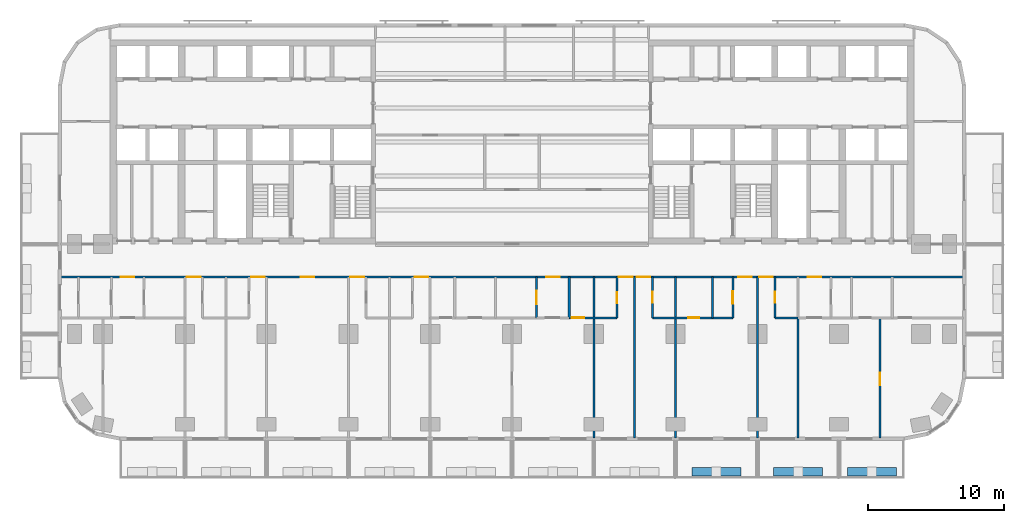
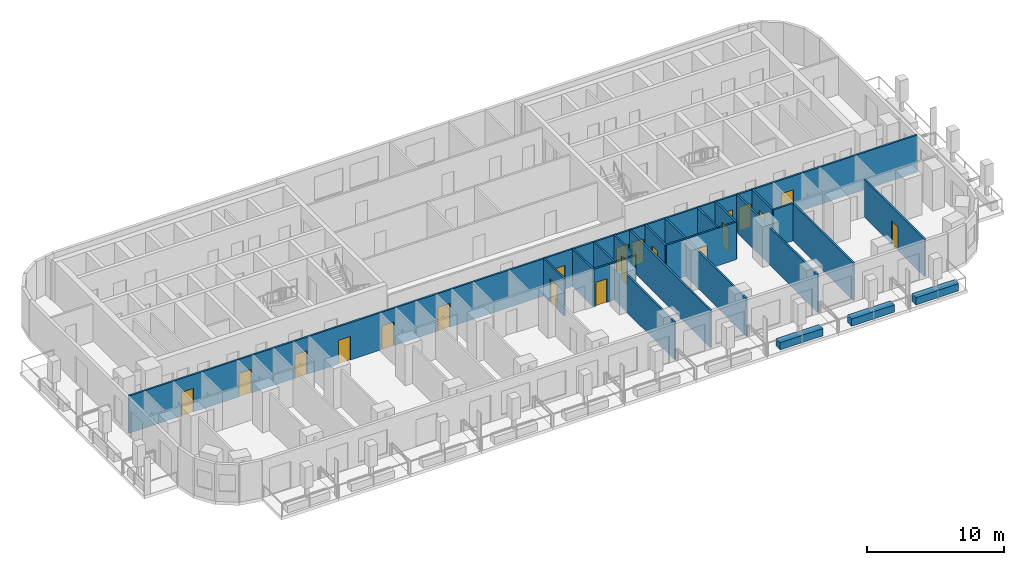
# One storey, part 6 of 15: 20 doors, 20 walls, 20 openings.
"""IFC4 building model written with IfcOpenShell, lengths in metres."""

from ifc_helpers import new_model, si_unit, direction, frame, frame_2d, origin, place, context, subcontext, project, spatial, rectangle, extrude, material, layer, layer_set, type_object, element, fill, save


model = new_model("IFC4")

# Units and contexts
model_context = context("Model", 3, precision=1e-05, world=origin(), true_north=direction((0.0, 1.0)))
body_context = subcontext(model_context, "Body", "Model", "MODEL_VIEW")
ifc_project = project(units=[si_unit("LENGTHUNIT", "METRE"), si_unit("AREAUNIT", "SQUARE_METRE"), si_unit("VOLUMEUNIT", "CUBIC_METRE"), si_unit("PLANEANGLEUNIT", "RADIAN"), si_unit("MASSUNIT", "GRAM", prefix="KILO")], contexts=[model_context])

# Site, building, storey
site_placement = place(None, origin())
site = spatial("IfcSite", under=ifc_project, at=site_placement, CompositionType="ELEMENT")
building_placement = place(site_placement, origin())
building = spatial("IfcBuilding", under=site, at=building_placement, Name="Torana Hotel and Residences", CompositionType="ELEMENT")
storey_placement = place(building_placement, frame((0.0, 0.0, 45.60009765625)))
storey = spatial("IfcBuildingStorey", under=building, at=storey_placement, Name="L10", CompositionType="ELEMENT", Elevation=45.60009765625)

# Wall
ifc_material_1 = material(Name="Gypsum plaster")
ifc_layer_1 = layer(ifc_material_1, 0.014892578125, Name="Plaster", Category="finish")
ifc_material_2 = material(Name="Concrete blockwork", Category="masonry")
ifc_layer_2 = layer(ifc_material_2, 0.1201171875, Name="Blockwork", Category="structure")
ifc_layer_3 = layer(ifc_material_1, 0.014892578125, Name="Plaster", Category="finish")
ifc_layer_set_1 = layer_set([ifc_layer_1, ifc_layer_2, ifc_layer_3], Name="FIRE PARTITION 150 BLOCKWORK")
wall_type_1 = type_object("IfcWallType", Name="FIRE PARTITION 150 BLOCKWORK", PredefinedType="PARTITIONING", material=ifc_layer_set_1)
wall_1_placement = place(storey_placement, frame((4.199951171875, -20.39990234375, 0.0), z_axis=(0.0, 0.0, 1.0), x_axis=(0.0, 1.0, 0.0)))
element("IfcWall", 1, at=wall_1_placement, inside=storey, type_object=wall_type_1, Name="Partition L10", PredefinedType="PARTITIONING", context=body_context, shape_type="SweptSolid", body=[
    extrude(rectangle(XDim=3.0, YDim=0.14990234375, at=frame_2d((1.5, 0.0))), origin(), (0.0, 0.0, 1.0), 3.31982421875),
])

# Wall, opening, door
wall_2_placement = place(storey_placement, frame((1.800048828125, -20.39990234375, 0.0), z_axis=(0.0, 0.0, 1.0), x_axis=(0.0, 1.0, 0.0)))
wall_2 = element("IfcWall", 2, at=wall_2_placement, inside=storey, type_object=wall_type_1, Name="Partition L10", PredefinedType="PARTITIONING", context=body_context, shape_type="SweptSolid", body=[
    extrude(rectangle(XDim=3.0, YDim=0.14990234375, at=frame_2d((1.5, 0.0))), origin(), (0.0, 0.0, 1.0), 3.31982421875),
])
opening_1_placement = place(wall_2_placement, frame((0.97998046875, 0.0, 0.0)))
opening_1 = element("IfcOpeningElement", 3, at=opening_1_placement, cuts=wall_2, Name="Opening L10-68", PredefinedType="OPENING", context=body_context, shape_type="SweptSolid", body=[
    extrude(rectangle(XDim=1.0, YDim=2.10009765625, at=frame_2d((0.5, 1.050048828125))), frame((0.0, 0.0849609375, 0.0), z_axis=(0.0, -1.0, 0.0), x_axis=(1.0, 0.0, 0.0)), (0.0, 0.0, 1.0), 0.169921875),
])
ifc_material_3 = material(Name="Steel S235", Category="steel")
door_type_1 = type_object("IfcDoorType", Name="ENTRY FIRE DOOR D6 1000x2100", OperationType="SINGLE_SWING_LEFT", PredefinedType="DOOR", material=ifc_material_3)
door_1_placement = place(opening_1_placement, origin())
door_1 = element("IfcDoor", 4, at=door_1_placement, inside=storey, type_object=door_type_1, Name="Door L10", OperationType="SINGLE_SWING_RIGHT", OverallHeight=2.10009765625, OverallWidth=1.0, PredefinedType="DOOR", context=body_context, shape_type="SweptSolid", body=[
    extrude(rectangle(XDim=1.0, YDim=2.10009765625, at=frame_2d((0.5, 1.050048828125))), frame((0.0, 0.02490234375, 0.0), z_axis=(0.0, -1.0, 0.0), x_axis=(1.0, 0.0, 0.0)), (0.0, 0.0, 1.0), 0.050048828125),
])
fill(opening_1, door_1)

# Wall, openings, doors
wall_3_placement = place(storey_placement, frame((-33.1201171875, -17.39990234375, 0.0), z_axis=(0.0, 0.0, 1.0), x_axis=(1.0, 0.0, 0.0)))
wall_3 = element("IfcWall", 5, at=wall_3_placement, inside=storey, type_object=wall_type_1, Name="Partition L10", PredefinedType="PARTITIONING", context=body_context, shape_type="SweptSolid", body=[
    extrude(rectangle(XDim=66.240234375, YDim=0.14990234375, at=frame_2d((33.1201171875, 0.0))), origin(), (0.0, 0.0, 1.0), 3.31982421875),
])
opening_2_placement = place(wall_3_placement, frame((9.27001953125, 0.0, 0.0)))
opening_2 = element("IfcOpeningElement", 6, at=opening_2_placement, cuts=wall_3, Name="Opening L10-40", PredefinedType="OPENING", context=body_context, shape_type="SweptSolid", body=[
    extrude(rectangle(XDim=1.0, YDim=2.10009765625, at=frame_2d((0.5, 1.050048828125))), frame((0.0, 0.0849609375, 0.0), z_axis=(0.0, -1.0, 0.0), x_axis=(1.0, 0.0, 0.0)), (0.0, 0.0, 1.0), 0.169921875),
])
opening_3_placement = place(wall_3_placement, frame((13.969970703125, 0.0, 0.0)))
opening_3 = element("IfcOpeningElement", 7, at=opening_3_placement, cuts=wall_3, Name="Opening L10-41", PredefinedType="OPENING", context=body_context, shape_type="SweptSolid", body=[
    extrude(rectangle(XDim=1.0, YDim=2.10009765625, at=frame_2d((0.5, 1.050048828125))), frame((0.0, 0.0849609375, 0.0), z_axis=(0.0, -1.0, 0.0), x_axis=(1.0, 0.0, 0.0)), (0.0, 0.0, 1.0), 0.169921875),
])
opening_4_placement = place(wall_3_placement, frame((17.6201171875, 0.0, 0.0)))
opening_4 = element("IfcOpeningElement", 8, at=opening_4_placement, cuts=wall_3, Name="Opening L10-42", PredefinedType="OPENING", context=body_context, shape_type="SweptSolid", body=[
    extrude(rectangle(XDim=1.0, YDim=2.10009765625, at=frame_2d((0.5, 1.050048828125))), frame((0.0, 0.0849609375, 0.0), z_axis=(0.0, -1.0, 0.0), x_axis=(1.0, 0.0, 0.0)), (0.0, 0.0, 1.0), 0.169921875),
])
opening_5_placement = place(wall_3_placement, frame((21.27001953125, 0.0, 0.0)))
opening_5 = element("IfcOpeningElement", 9, at=opening_5_placement, cuts=wall_3, Name="Opening L10-43", PredefinedType="OPENING", context=body_context, shape_type="SweptSolid", body=[
    extrude(rectangle(XDim=1.0, YDim=2.10009765625, at=frame_2d((0.5, 1.050048828125))), frame((0.0, 0.0849609375, 0.0), z_axis=(0.0, -1.0, 0.0), x_axis=(1.0, 0.0, 0.0)), (0.0, 0.0, 1.0), 0.169921875),
])
opening_6_placement = place(wall_3_placement, frame((25.969970703125, 0.0, 0.0)))
opening_6 = element("IfcOpeningElement", 10, at=opening_6_placement, cuts=wall_3, Name="Opening L10-44", PredefinedType="OPENING", context=body_context, shape_type="SweptSolid", body=[
    extrude(rectangle(XDim=1.0, YDim=2.10009765625, at=frame_2d((0.5, 1.050048828125))), frame((0.0, 0.0849609375, 0.0), z_axis=(0.0, -1.0, 0.0), x_axis=(1.0, 0.0, 0.0)), (0.0, 0.0, 1.0), 0.169921875),
])
opening_7_placement = place(wall_3_placement, frame((35.6201171875, 0.0, 0.0)))
opening_7 = element("IfcOpeningElement", 11, at=opening_7_placement, cuts=wall_3, Name="Opening L10-45", PredefinedType="OPENING", context=body_context, shape_type="SweptSolid", body=[
    extrude(rectangle(XDim=1.0, YDim=2.10009765625, at=frame_2d((0.5, 1.050048828125))), frame((0.0, 0.0849609375, 0.0), z_axis=(0.0, -1.0, 0.0), x_axis=(1.0, 0.0, 0.0)), (0.0, 0.0, 1.0), 0.169921875),
])
opening_8_placement = place(wall_3_placement, frame((40.969970703125, 0.0, 0.0)))
opening_8 = element("IfcOpeningElement", 12, at=opening_8_placement, cuts=wall_3, Name="Opening L10-46", PredefinedType="OPENING", context=body_context, shape_type="SweptSolid", body=[
    extrude(rectangle(XDim=1.0, YDim=2.10009765625, at=frame_2d((0.5, 1.050048828125))), frame((0.0, 0.0849609375, 0.0), z_axis=(0.0, -1.0, 0.0), x_axis=(1.0, 0.0, 0.0)), (0.0, 0.0, 1.0), 0.169921875),
])
opening_9_placement = place(wall_3_placement, frame((42.27001953125, 0.0, 0.0)))
opening_9 = element("IfcOpeningElement", 13, at=opening_9_placement, cuts=wall_3, Name="Opening L10-47", PredefinedType="OPENING", context=body_context, shape_type="SweptSolid", body=[
    extrude(rectangle(XDim=1.0, YDim=2.10009765625, at=frame_2d((0.5, 1.050048828125))), frame((0.0, 0.0849609375, 0.0), z_axis=(0.0, -1.0, 0.0), x_axis=(1.0, 0.0, 0.0)), (0.0, 0.0, 1.0), 0.169921875),
])
opening_10_placement = place(wall_3_placement, frame((49.719970703125, 0.0, 0.0)))
opening_10 = element("IfcOpeningElement", 14, at=opening_10_placement, cuts=wall_3, Name="Opening L10-48", PredefinedType="OPENING", context=body_context, shape_type="SweptSolid", body=[
    extrude(rectangle(XDim=1.0, YDim=2.10009765625, at=frame_2d((0.5, 1.050048828125))), frame((0.0, 0.0849609375, 0.0), z_axis=(0.0, -1.0, 0.0), x_axis=(1.0, 0.0, 0.0)), (0.0, 0.0, 1.0), 0.169921875),
])
opening_11_placement = place(wall_3_placement, frame((51.27001953125, 0.0, 0.0)))
opening_11 = element("IfcOpeningElement", 15, at=opening_11_placement, cuts=wall_3, Name="Opening L10-49", PredefinedType="OPENING", context=body_context, shape_type="SweptSolid", body=[
    extrude(rectangle(XDim=1.0, YDim=2.10009765625, at=frame_2d((0.5, 1.050048828125))), frame((0.0, 0.0849609375, 0.0), z_axis=(0.0, -1.0, 0.0), x_axis=(1.0, 0.0, 0.0)), (0.0, 0.0, 1.0), 0.169921875),
])
opening_12_placement = place(wall_3_placement, frame((4.419921875, 0.0, 0.0)))
opening_12 = element("IfcOpeningElement", 16, at=opening_12_placement, cuts=wall_3, Name="Opening L10-50", PredefinedType="OPENING", context=body_context, shape_type="SweptSolid", body=[
    extrude(rectangle(XDim=1.0, YDim=2.10009765625, at=frame_2d((0.5, 1.050048828125))), frame((0.0, 0.0849609375, 0.0), z_axis=(0.0, -1.0, 0.0), x_axis=(1.0, 0.0, 0.0)), (0.0, 0.0, 1.0), 0.169921875),
])
opening_13_placement = place(wall_3_placement, frame((54.820068359375, 0.0, 0.0)))
opening_13 = element("IfcOpeningElement", 17, at=opening_13_placement, cuts=wall_3, Name="Opening L10-51", PredefinedType="OPENING", context=body_context, shape_type="SweptSolid", body=[
    extrude(rectangle(XDim=1.0, YDim=2.10009765625, at=frame_2d((0.5, 1.050048828125))), frame((0.0, 0.0849609375, 0.0), z_axis=(0.0, -1.0, 0.0), x_axis=(1.0, 0.0, 0.0)), (0.0, 0.0, 1.0), 0.169921875),
])
door_2_placement = place(opening_2_placement, frame((0.5, 0.0, 0.0), z_axis=(0.0, 0.0, 1.0), x_axis=(-1.0, 0.0, 0.0)))
door_2 = element("IfcDoor", 18, at=door_2_placement, inside=storey, type_object=door_type_1, Name="Door L10", OperationType="SINGLE_SWING_LEFT", OverallHeight=2.10009765625, OverallWidth=1.0, PredefinedType="DOOR", context=body_context, shape_type="SweptSolid", body=[
    extrude(rectangle(XDim=1.0, YDim=2.10009765625, at=frame_2d((0.0, 1.050048828125))), frame((0.0, -0.02490234375, 0.0), z_axis=(0.0, 1.0, 0.0), x_axis=(-1.0, 0.0, 0.0)), (0.0, 0.0, 1.0), 0.050048828125),
])
fill(opening_2, door_2)
door_3_placement = place(opening_3_placement, frame((0.5, 0.0, 0.0), z_axis=(0.0, 0.0, 1.0), x_axis=(-1.0, 0.0, 0.0)))
door_3 = element("IfcDoor", 19, at=door_3_placement, inside=storey, type_object=door_type_1, Name="Door L10", OperationType="SINGLE_SWING_LEFT", OverallHeight=2.10009765625, OverallWidth=1.0, PredefinedType="DOOR", context=body_context, shape_type="SweptSolid", body=[
    extrude(rectangle(XDim=1.0, YDim=2.10009765625, at=frame_2d((0.0, 1.050048828125))), frame((0.0, -0.02490234375, 0.0), z_axis=(0.0, 1.0, 0.0), x_axis=(-1.0, 0.0, 0.0)), (0.0, 0.0, 1.0), 0.050048828125),
])
fill(opening_3, door_3)
door_4_placement = place(opening_4_placement, frame((0.5, 0.0, 0.0), z_axis=(0.0, 0.0, 1.0), x_axis=(-1.0, 0.0, 0.0)))
door_4 = element("IfcDoor", 20, at=door_4_placement, inside=storey, type_object=door_type_1, Name="Door L10", OperationType="SINGLE_SWING_LEFT", OverallHeight=2.10009765625, OverallWidth=1.0, PredefinedType="DOOR", context=body_context, shape_type="SweptSolid", body=[
    extrude(rectangle(XDim=1.0, YDim=2.10009765625, at=frame_2d((0.0, 1.050048828125))), frame((0.0, -0.02490234375, 0.0), z_axis=(0.0, 1.0, 0.0), x_axis=(-1.0, 0.0, 0.0)), (0.0, 0.0, 1.0), 0.050048828125),
])
fill(opening_4, door_4)
door_5_placement = place(opening_5_placement, frame((0.5, 0.0, 0.0), z_axis=(0.0, 0.0, 1.0), x_axis=(-1.0, 0.0, 0.0)))
door_5 = element("IfcDoor", 21, at=door_5_placement, inside=storey, type_object=door_type_1, Name="Door L10", OperationType="SINGLE_SWING_LEFT", OverallHeight=2.10009765625, OverallWidth=1.0, PredefinedType="DOOR", context=body_context, shape_type="SweptSolid", body=[
    extrude(rectangle(XDim=1.0, YDim=2.10009765625, at=frame_2d((0.0, 1.050048828125))), frame((0.0, -0.02490234375, 0.0), z_axis=(0.0, 1.0, 0.0), x_axis=(-1.0, 0.0, 0.0)), (0.0, 0.0, 1.0), 0.050048828125),
])
fill(opening_5, door_5)
door_6_placement = place(opening_6_placement, frame((0.5, 0.0, 0.0), z_axis=(0.0, 0.0, 1.0), x_axis=(-1.0, 0.0, 0.0)))
door_6 = element("IfcDoor", 22, at=door_6_placement, inside=storey, type_object=door_type_1, Name="Door L10", OperationType="SINGLE_SWING_LEFT", OverallHeight=2.10009765625, OverallWidth=1.0, PredefinedType="DOOR", context=body_context, shape_type="SweptSolid", body=[
    extrude(rectangle(XDim=1.0, YDim=2.10009765625, at=frame_2d((0.0, 1.050048828125))), frame((0.0, -0.02490234375, 0.0), z_axis=(0.0, 1.0, 0.0), x_axis=(-1.0, 0.0, 0.0)), (0.0, 0.0, 1.0), 0.050048828125),
])
fill(opening_6, door_6)
door_7_placement = place(opening_7_placement, origin())
door_7 = element("IfcDoor", 23, at=door_7_placement, inside=storey, type_object=door_type_1, Name="Door L10", OperationType="SINGLE_SWING_RIGHT", OverallHeight=2.10009765625, OverallWidth=1.0, PredefinedType="DOOR", context=body_context, shape_type="SweptSolid", body=[
    extrude(rectangle(XDim=1.0, YDim=2.10009765625, at=frame_2d((0.5, 1.050048828125))), frame((0.0, 0.02490234375, 0.0), z_axis=(0.0, -1.0, 0.0), x_axis=(1.0, 0.0, 0.0)), (0.0, 0.0, 1.0), 0.050048828125),
])
fill(opening_7, door_7)
door_8_placement = place(opening_8_placement, frame((0.5, 0.0, 0.0), z_axis=(0.0, 0.0, 1.0), x_axis=(-1.0, 0.0, 0.0)))
door_8 = element("IfcDoor", 24, at=door_8_placement, inside=storey, type_object=door_type_1, Name="Door L10", OperationType="SINGLE_SWING_LEFT", OverallHeight=2.10009765625, OverallWidth=1.0, PredefinedType="DOOR", context=body_context, shape_type="SweptSolid", body=[
    extrude(rectangle(XDim=1.0, YDim=2.10009765625, at=frame_2d((0.0, 1.050048828125))), frame((0.0, -0.02490234375, 0.0), z_axis=(0.0, 1.0, 0.0), x_axis=(-1.0, 0.0, 0.0)), (0.0, 0.0, 1.0), 0.050048828125),
])
fill(opening_8, door_8)
door_9_placement = place(opening_9_placement, frame((0.5, 0.0, 0.0), z_axis=(0.0, 0.0, 1.0), x_axis=(-1.0, 0.0, 0.0)))
door_9 = element("IfcDoor", 25, at=door_9_placement, inside=storey, type_object=door_type_1, Name="Door L10", OperationType="SINGLE_SWING_LEFT", OverallHeight=2.10009765625, OverallWidth=1.0, PredefinedType="DOOR", context=body_context, shape_type="SweptSolid", body=[
    extrude(rectangle(XDim=1.0, YDim=2.10009765625, at=frame_2d((0.0, 1.050048828125))), frame((0.0, -0.02490234375, 0.0), z_axis=(0.0, 1.0, 0.0), x_axis=(-1.0, 0.0, 0.0)), (0.0, 0.0, 1.0), 0.050048828125),
])
fill(opening_9, door_9)
door_10_placement = place(opening_10_placement, frame((0.5, 0.0, 0.0), z_axis=(0.0, 0.0, 1.0), x_axis=(-1.0, 0.0, 0.0)))
door_10 = element("IfcDoor", 26, at=door_10_placement, inside=storey, type_object=door_type_1, Name="Door L10", OperationType="SINGLE_SWING_LEFT", OverallHeight=2.10009765625, OverallWidth=1.0, PredefinedType="DOOR", context=body_context, shape_type="SweptSolid", body=[
    extrude(rectangle(XDim=1.0, YDim=2.10009765625, at=frame_2d((0.0, 1.050048828125))), frame((0.0, -0.02490234375, 0.0), z_axis=(0.0, 1.0, 0.0), x_axis=(-1.0, 0.0, 0.0)), (0.0, 0.0, 1.0), 0.050048828125),
])
fill(opening_10, door_10)
door_11_placement = place(opening_11_placement, frame((0.5, 0.0, 0.0), z_axis=(0.0, 0.0, 1.0), x_axis=(-1.0, 0.0, 0.0)))
door_11 = element("IfcDoor", 27, at=door_11_placement, inside=storey, type_object=door_type_1, Name="Door L10", OperationType="SINGLE_SWING_LEFT", OverallHeight=2.10009765625, OverallWidth=1.0, PredefinedType="DOOR", context=body_context, shape_type="SweptSolid", body=[
    extrude(rectangle(XDim=1.0, YDim=2.10009765625, at=frame_2d((0.0, 1.050048828125))), frame((0.0, -0.02490234375, 0.0), z_axis=(0.0, 1.0, 0.0), x_axis=(-1.0, 0.0, 0.0)), (0.0, 0.0, 1.0), 0.050048828125),
])
fill(opening_11, door_11)
door_12_placement = place(opening_12_placement, origin())
door_12 = element("IfcDoor", 28, at=door_12_placement, inside=storey, type_object=door_type_1, Name="Door L10", OperationType="SINGLE_SWING_RIGHT", OverallHeight=2.10009765625, OverallWidth=1.0, PredefinedType="DOOR", context=body_context, shape_type="SweptSolid", body=[
    extrude(rectangle(XDim=1.0, YDim=2.10009765625, at=frame_2d((0.5, 1.050048828125))), frame((0.0, 0.02490234375, 0.0), z_axis=(0.0, -1.0, 0.0), x_axis=(1.0, 0.0, 0.0)), (0.0, 0.0, 1.0), 0.050048828125),
])
fill(opening_12, door_12)
door_13_placement = place(opening_13_placement, origin())
door_13 = element("IfcDoor", 29, at=door_13_placement, inside=storey, type_object=door_type_1, Name="Door L10", OperationType="SINGLE_SWING_RIGHT", OverallHeight=2.10009765625, OverallWidth=1.0, PredefinedType="DOOR", context=body_context, shape_type="SweptSolid", body=[
    extrude(rectangle(XDim=1.0, YDim=2.10009765625, at=frame_2d((0.5, 1.050048828125))), frame((0.0, 0.02490234375, 0.0), z_axis=(0.0, -1.0, 0.0), x_axis=(1.0, 0.0, 0.0)), (0.0, 0.0, 1.0), 0.050048828125),
])
fill(opening_13, door_13)

# Wall, opening, door
ifc_material_4 = material(Name="Gypsum plasterboard")
ifc_layer_4 = layer(ifc_material_4, 0.012451171875, Name="Plasterboard", Category="finish")
ifc_layer_5 = layer(ifc_material_4, 0.012451171875, Name="Plasterboard", Category="finish")
ifc_material_5 = material(Name="Steel S280GD", Category="steel")
ifc_layer_6 = layer(ifc_material_5, 0.10009765625, Name="Steel studs with mineral wool", Category="insulation")
ifc_layer_7 = layer(ifc_material_4, 0.012451171875, Name="Plasterboard", Category="finish")
ifc_layer_8 = layer(ifc_material_4, 0.012451171875, Name="Plasterboard", Category="finish")
ifc_layer_set_2 = layer_set([ifc_layer_4, ifc_layer_5, ifc_layer_6, ifc_layer_7, ifc_layer_8], Name="PARTITION 150 PLASTERBOARD")
wall_type_2 = type_object("IfcWallType", Name="PARTITION 150 PLASTERBOARD", PredefinedType="PARTITIONING", material=ifc_layer_set_2)
wall_4_placement = place(storey_placement, frame((27.0, -29.219970703125, 0.0), z_axis=(0.0, 0.0, 1.0), x_axis=(0.0, 1.0, 0.0)))
wall_4 = element("IfcWall", 30, at=wall_4_placement, inside=storey, type_object=wall_type_2, Name="Partition L10", PredefinedType="PARTITIONING", context=body_context, shape_type="SweptSolid", body=[
    extrude(rectangle(XDim=8.820068359375, YDim=0.14990234375, at=frame_2d((4.41015625, 0.0))), origin(), (0.0, 0.0, 1.0), 3.31982421875),
])
opening_14_placement = place(wall_4_placement, frame((3.8701171875, 0.0, 0.0)))
opening_14 = element("IfcOpeningElement", 31, at=opening_14_placement, cuts=wall_4, Name="Opening L10-86", PredefinedType="OPENING", context=body_context, shape_type="SweptSolid", body=[
    extrude(rectangle(XDim=0.89990234375, YDim=2.10009765625, at=frame_2d((0.449951171875, 1.050048828125))), frame((0.0, 0.0849609375, 0.0), z_axis=(0.0, -1.0, 0.0), x_axis=(1.0, 0.0, 0.0)), (0.0, 0.0, 1.0), 0.169921875),
])
ifc_material_6 = material(Name="Timber door, oiled ash", Category="wood")
door_type_2 = type_object("IfcDoorType", Name="ROOM DOOR D7 900x2100", OperationType="SINGLE_SWING_LEFT", PredefinedType="DOOR", material=ifc_material_6)
door_14_placement = place(opening_14_placement, origin())
door_14 = element("IfcDoor", 32, at=door_14_placement, inside=storey, type_object=door_type_2, Name="Door L10", OperationType="SINGLE_SWING_RIGHT", OverallHeight=2.10009765625, OverallWidth=0.89990234375, PredefinedType="DOOR", context=body_context, shape_type="SweptSolid", body=[
    extrude(rectangle(XDim=0.89990234375, YDim=2.10009765625, at=frame_2d((0.449951171875, 1.050048828125))), frame((0.0, 0.02490234375, 0.0), z_axis=(0.0, -1.0, 0.0), x_axis=(1.0, 0.0, 0.0)), (0.0, 0.0, 1.0), 0.050048828125),
])
fill(opening_14, door_14)

# Wall
wall_5_placement = place(storey_placement, frame((21.0, -29.219970703125, 0.0), z_axis=(0.0, 0.0, 1.0), x_axis=(0.0, 1.0, 0.0)))
element("IfcWall", 33, at=wall_5_placement, inside=storey, type_object=wall_type_2, Name="Partition L10", PredefinedType="PARTITIONING", context=body_context, shape_type="SweptSolid", body=[
    extrude(rectangle(XDim=8.820068359375, YDim=0.14990234375, at=frame_2d((4.41015625, 0.0))), origin(), (0.0, 0.0, 1.0), 3.31982421875),
])

# Wall, opening, door
wall_6_placement = place(storey_placement, frame((19.300048828125, -20.39990234375, 0.0), z_axis=(0.0, 0.0, 1.0), x_axis=(0.0, 1.0, 0.0)))
wall_6 = element("IfcWall", 34, at=wall_6_placement, inside=storey, type_object=wall_type_2, Name="Partition L10", PredefinedType="PARTITIONING", context=body_context, shape_type="SweptSolid", body=[
    extrude(rectangle(XDim=3.0, YDim=0.14990234375, at=frame_2d((1.5, 0.0))), origin(), (0.0, 0.0, 1.0), 3.31982421875),
])
opening_15_placement = place(wall_6_placement, frame((1.1201171875, 0.0, 0.0)))
opening_15 = element("IfcOpeningElement", 35, at=opening_15_placement, cuts=wall_6, Name="Opening L10-76", PredefinedType="OPENING", context=body_context, shape_type="SweptSolid", body=[
    extrude(rectangle(XDim=0.800048828125, YDim=2.10009765625, at=frame_2d((0.39990234375, 1.050048828125))), frame((0.0, 0.0849609375, 0.0), z_axis=(0.0, -1.0, 0.0), x_axis=(1.0, 0.0, 0.0)), (0.0, 0.0, 1.0), 0.169921875),
])
ifc_material_7 = material(Name="Timber door, painted", Category="wood")
door_type_3 = type_object("IfcDoorType", Name="BATH DOOR D13 800x2100", OperationType="SINGLE_SWING_LEFT", PredefinedType="DOOR", material=ifc_material_7)
door_15_placement = place(opening_15_placement, origin())
door_15 = element("IfcDoor", 36, at=door_15_placement, inside=storey, type_object=door_type_3, Name="Door L10", OperationType="SINGLE_SWING_LEFT", OverallHeight=2.10009765625, OverallWidth=0.800048828125, PredefinedType="DOOR", context=body_context, shape_type="SweptSolid", body=[
    extrude(rectangle(XDim=0.800048828125, YDim=2.10009765625, at=frame_2d((0.39990234375, 1.050048828125))), frame((0.0, 0.02490234375, 0.0), z_axis=(0.0, -1.0, 0.0), x_axis=(1.0, 0.0, 0.0)), (0.0, 0.0, 1.0), 0.050048828125),
])
fill(opening_15, door_15)

# Wall
wall_7_placement = place(storey_placement, frame((18.0, -29.219970703125, 0.0), z_axis=(0.0, 0.0, 1.0), x_axis=(0.0, 1.0, 0.0)))
element("IfcWall", 37, at=wall_7_placement, inside=storey, type_object=wall_type_2, Name="Partition L10", PredefinedType="PARTITIONING", context=body_context, shape_type="SweptSolid", body=[
    extrude(rectangle(XDim=11.820068359375, YDim=0.14990234375, at=frame_2d((5.91015625, 0.0))), origin(), (0.0, 0.0, 1.0), 3.31982421875),
])

# Wall, opening, door
wall_8_placement = place(storey_placement, frame((16.199951171875, -20.39990234375, 0.0), z_axis=(0.0, 0.0, 1.0), x_axis=(0.0, 1.0, 0.0)))
wall_8 = element("IfcWall", 38, at=wall_8_placement, inside=storey, type_object=wall_type_2, Name="Partition L10", PredefinedType="PARTITIONING", context=body_context, shape_type="SweptSolid", body=[
    extrude(rectangle(XDim=3.0, YDim=0.14990234375, at=frame_2d((1.5, 0.0))), origin(), (0.0, 0.0, 1.0), 3.31982421875),
])
opening_16_placement = place(wall_8_placement, frame((1.030029296875, 0.0, 0.0)))
opening_16 = element("IfcOpeningElement", 39, at=opening_16_placement, cuts=wall_8, Name="Opening L10-75", PredefinedType="OPENING", context=body_context, shape_type="SweptSolid", body=[
    extrude(rectangle(XDim=0.89990234375, YDim=2.10009765625, at=frame_2d((0.449951171875, 1.050048828125))), frame((0.0, 0.0849609375, 0.0), z_axis=(0.0, -1.0, 0.0), x_axis=(1.0, 0.0, 0.0)), (0.0, 0.0, 1.0), 0.169921875),
])
door_16_placement = place(opening_16_placement, origin())
door_16 = element("IfcDoor", 40, at=door_16_placement, inside=storey, type_object=door_type_2, Name="Door L10", OperationType="SINGLE_SWING_RIGHT", OverallHeight=2.10009765625, OverallWidth=0.89990234375, PredefinedType="DOOR", context=body_context, shape_type="SweptSolid", body=[
    extrude(rectangle(XDim=0.89990234375, YDim=2.10009765625, at=frame_2d((0.449951171875, 1.050048828125))), frame((0.0, 0.02490234375, 0.0), z_axis=(0.0, -1.0, 0.0), x_axis=(1.0, 0.0, 0.0)), (0.0, 0.0, 1.0), 0.050048828125),
])
fill(opening_16, door_16)

# Walls
wall_9_placement = place(storey_placement, frame((14.699951171875, -20.39990234375, 0.0), z_axis=(0.0, 0.0, 1.0), x_axis=(0.0, 1.0, 0.0)))
element("IfcWall", 41, at=wall_9_placement, inside=storey, type_object=wall_type_2, Name="Partition L10", PredefinedType="PARTITIONING", context=body_context, shape_type="SweptSolid", body=[
    extrude(rectangle(XDim=3.0, YDim=0.14990234375, at=frame_2d((1.5, 0.0))), origin(), (0.0, 0.0, 1.0), 3.31982421875),
])
wall_10_placement = place(storey_placement, frame((12.0, -29.219970703125, 0.0), z_axis=(0.0, 0.0, 1.0), x_axis=(0.0, 1.0, 0.0)))
element("IfcWall", 42, at=wall_10_placement, inside=storey, type_object=wall_type_2, Name="Partition L10", PredefinedType="PARTITIONING", context=body_context, shape_type="SweptSolid", body=[
    extrude(rectangle(XDim=11.820068359375, YDim=0.14990234375, at=frame_2d((5.91015625, 0.0))), origin(), (0.0, 0.0, 1.0), 3.31982421875),
])

# Wall, opening, door
wall_11_placement = place(storey_placement, frame((10.300048828125, -20.39990234375, 0.0), z_axis=(0.0, 0.0, 1.0), x_axis=(0.0, 1.0, 0.0)))
wall_11 = element("IfcWall", 43, at=wall_11_placement, inside=storey, type_object=wall_type_2, Name="Partition L10", PredefinedType="PARTITIONING", context=body_context, shape_type="SweptSolid", body=[
    extrude(rectangle(XDim=3.0, YDim=0.14990234375, at=frame_2d((1.5, 0.0))), origin(), (0.0, 0.0, 1.0), 3.31982421875),
])
opening_17_placement = place(wall_11_placement, frame((1.1201171875, 0.0, 0.0)))
opening_17 = element("IfcOpeningElement", 44, at=opening_17_placement, cuts=wall_11, Name="Opening L10-73", PredefinedType="OPENING", context=body_context, shape_type="SweptSolid", body=[
    extrude(rectangle(XDim=0.800048828125, YDim=2.10009765625, at=frame_2d((0.39990234375, 1.050048828125))), frame((0.0, 0.0849609375, 0.0), z_axis=(0.0, -1.0, 0.0), x_axis=(1.0, 0.0, 0.0)), (0.0, 0.0, 1.0), 0.169921875),
])
door_17_placement = place(opening_17_placement, origin())
door_17 = element("IfcDoor", 45, at=door_17_placement, inside=storey, type_object=door_type_3, Name="Door L10", OperationType="SINGLE_SWING_LEFT", OverallHeight=2.10009765625, OverallWidth=0.800048828125, PredefinedType="DOOR", context=body_context, shape_type="SweptSolid", body=[
    extrude(rectangle(XDim=0.800048828125, YDim=2.10009765625, at=frame_2d((0.39990234375, 1.050048828125))), frame((0.0, 0.02490234375, 0.0), z_axis=(0.0, -1.0, 0.0), x_axis=(1.0, 0.0, 0.0)), (0.0, 0.0, 1.0), 0.050048828125),
])
fill(opening_17, door_17)

# Wall
wall_12_placement = place(storey_placement, frame((9.0, -29.219970703125, 0.0), z_axis=(0.0, 0.0, 1.0), x_axis=(0.0, 1.0, 0.0)))
element("IfcWall", 46, at=wall_12_placement, inside=storey, type_object=wall_type_2, Name="Partition L10", PredefinedType="PARTITIONING", context=body_context, shape_type="SweptSolid", body=[
    extrude(rectangle(XDim=11.820068359375, YDim=0.14990234375, at=frame_2d((5.91015625, 0.0))), origin(), (0.0, 0.0, 1.0), 3.31982421875),
])

# Wall, opening, door
wall_13_placement = place(storey_placement, frame((7.699951171875, -20.39990234375, 0.0), z_axis=(0.0, 0.0, 1.0), x_axis=(0.0, 1.0, 0.0)))
wall_13 = element("IfcWall", 47, at=wall_13_placement, inside=storey, type_object=wall_type_2, Name="Partition L10", PredefinedType="PARTITIONING", context=body_context, shape_type="SweptSolid", body=[
    extrude(rectangle(XDim=3.0, YDim=0.14990234375, at=frame_2d((1.5, 0.0))), origin(), (0.0, 0.0, 1.0), 3.31982421875),
])
opening_18_placement = place(wall_13_placement, frame((1.080078125, 0.0, 0.0)))
opening_18 = element("IfcOpeningElement", 48, at=opening_18_placement, cuts=wall_13, Name="Opening L10-72", PredefinedType="OPENING", context=body_context, shape_type="SweptSolid", body=[
    extrude(rectangle(XDim=0.800048828125, YDim=2.10009765625, at=frame_2d((0.39990234375, 1.050048828125))), frame((0.0, 0.0849609375, 0.0), z_axis=(0.0, -1.0, 0.0), x_axis=(1.0, 0.0, 0.0)), (0.0, 0.0, 1.0), 0.169921875),
])
door_18_placement = place(opening_18_placement, origin())
door_18 = element("IfcDoor", 49, at=door_18_placement, inside=storey, type_object=door_type_3, Name="Door L10", OperationType="SINGLE_SWING_RIGHT", OverallHeight=2.10009765625, OverallWidth=0.800048828125, PredefinedType="DOOR", context=body_context, shape_type="SweptSolid", body=[
    extrude(rectangle(XDim=0.800048828125, YDim=2.10009765625, at=frame_2d((0.39990234375, 1.050048828125))), frame((0.0, 0.02490234375, 0.0), z_axis=(0.0, -1.0, 0.0), x_axis=(1.0, 0.0, 0.0)), (0.0, 0.0, 1.0), 0.050048828125),
])
fill(opening_18, door_18)

# Wall
wall_14_placement = place(storey_placement, frame((6.0, -29.219970703125, 0.0), z_axis=(0.0, 0.0, 1.0), x_axis=(0.0, 1.0, 0.0)))
element("IfcWall", 50, at=wall_14_placement, inside=storey, type_object=wall_type_2, Name="Partition L10", PredefinedType="PARTITIONING", context=body_context, shape_type="SweptSolid", body=[
    extrude(rectangle(XDim=11.820068359375, YDim=0.14990234375, at=frame_2d((5.91015625, 0.0))), origin(), (0.0, 0.0, 1.0), 3.31982421875),
])

# Wall, opening, door
wall_15_placement = place(storey_placement, frame((4.199951171875, -20.39990234375, 0.0), z_axis=(0.0, 0.0, 1.0), x_axis=(1.0, 0.0, 0.0)))
wall_15 = element("IfcWall", 51, at=wall_15_placement, inside=storey, type_object=wall_type_2, Name="Partition L10", PredefinedType="PARTITIONING", context=body_context, shape_type="SweptSolid", body=[
    extrude(rectangle(XDim=3.5, YDim=0.14990234375, at=frame_2d((1.75, 0.0))), origin(), (0.0, 0.0, 1.0), 3.31982421875),
])
opening_19_placement = place(wall_15_placement, frame((0.199951171875, 0.0, 0.0)))
opening_19 = element("IfcOpeningElement", 52, at=opening_19_placement, cuts=wall_15, Name="Opening L10-70", PredefinedType="OPENING", context=body_context, shape_type="SweptSolid", body=[
    extrude(rectangle(XDim=0.89990234375, YDim=2.10009765625, at=frame_2d((0.449951171875, 1.050048828125))), frame((0.0, 0.0849609375, 0.0), z_axis=(0.0, -1.0, 0.0), x_axis=(1.0, 0.0, 0.0)), (0.0, 0.0, 1.0), 0.169921875),
])
door_19_placement = place(opening_19_placement, origin())
door_19 = element("IfcDoor", 53, at=door_19_placement, inside=storey, type_object=door_type_2, Name="Door L10", OperationType="SINGLE_SWING_RIGHT", OverallHeight=2.10009765625, OverallWidth=0.89990234375, PredefinedType="DOOR", context=body_context, shape_type="SweptSolid", body=[
    extrude(rectangle(XDim=0.89990234375, YDim=2.10009765625, at=frame_2d((0.449951171875, 1.050048828125))), frame((0.0, 0.02490234375, 0.0), z_axis=(0.0, -1.0, 0.0), x_axis=(1.0, 0.0, 0.0)), (0.0, 0.0, 1.0), 0.050048828125),
])
fill(opening_19, door_19)

wall_16_placement = place(storey_placement, frame((10.300048828125, -20.39990234375, 0.0), z_axis=(0.0, 0.0, 1.0), x_axis=(1.0, 0.0, 0.0)))
wall_16 = element("IfcWall", 54, at=wall_16_placement, inside=storey, type_object=wall_type_2, Name="Partition L10", PredefinedType="PARTITIONING", context=body_context, shape_type="SweptSolid", body=[
    extrude(rectangle(XDim=5.89990234375, YDim=0.14990234375, at=frame_2d((2.949951171875, 0.0))), origin(), (0.0, 0.0, 1.0), 3.31982421875),
])
opening_20_placement = place(wall_16_placement, frame((2.6298828125, 0.0, 0.0)))
opening_20 = element("IfcOpeningElement", 55, at=opening_20_placement, cuts=wall_16, Name="Opening L10-74", PredefinedType="OPENING", context=body_context, shape_type="SweptSolid", body=[
    extrude(rectangle(XDim=0.800048828125, YDim=2.10009765625, at=frame_2d((0.39990234375, 1.050048828125))), frame((0.0, 0.0849609375, 0.0), z_axis=(0.0, -1.0, 0.0), x_axis=(1.0, 0.0, 0.0)), (0.0, 0.0, 1.0), 0.169921875),
])
door_20_placement = place(opening_20_placement, origin())
door_20 = element("IfcDoor", 56, at=door_20_placement, inside=storey, type_object=door_type_3, Name="Door L10", OperationType="SINGLE_SWING_RIGHT", OverallHeight=2.10009765625, OverallWidth=0.800048828125, PredefinedType="DOOR", context=body_context, shape_type="SweptSolid", body=[
    extrude(rectangle(XDim=0.800048828125, YDim=2.10009765625, at=frame_2d((0.39990234375, 1.050048828125))), frame((0.0, 0.02490234375, 0.0), z_axis=(0.0, -1.0, 0.0), x_axis=(1.0, 0.0, 0.0)), (0.0, 0.0, 1.0), 0.050048828125),
])
fill(opening_20, door_20)

# Walls
wall_17_placement = place(storey_placement, frame((19.300048828125, -20.39990234375, 0.0), z_axis=(0.0, 0.0, 1.0), x_axis=(1.0, 0.0, 0.0)))
element("IfcWall", 57, at=wall_17_placement, inside=storey, type_object=wall_type_2, Name="Partition L10", PredefinedType="PARTITIONING", context=body_context, shape_type="SweptSolid", body=[
    extrude(rectangle(XDim=1.699951171875, YDim=0.14990234375, at=frame_2d((0.85009765625, 0.0))), origin(), (0.0, 0.0, 1.0), 3.31982421875),
])
ifc_material_8 = material(Name="Concrete C40/50 precast", Category="concrete")
ifc_layer_9 = layer(ifc_material_8, 0.10009765625, Name="Planter shell", Category="structure")
ifc_material_9 = material(Name="Root resistant membrane")
ifc_layer_10 = layer(ifc_material_9, 0.00390625, Name="Waterproofing membrane", Category="membrane")
ifc_material_10 = material(Name="Drainage board with filter fleece")
ifc_layer_11 = layer(ifc_material_10, 0.02001953125, Name="Drainage board", Category="drainage")
ifc_material_11 = material(Name="Growing medium")
ifc_layer_12 = layer(ifc_material_11, 0.47607421875, Name="Planting substrate", Category="soil")
ifc_layer_set_3 = layer_set([ifc_layer_9, ifc_layer_10, ifc_layer_11, ifc_layer_12], Name="PL1 BALCONY PLANTER 600")
wall_type_3 = type_object("IfcWallType", Name="PL1 BALCONY PLANTER 600", PredefinedType="USERDEFINED", material=ifc_layer_set_3)
for number, where, z_axis, x_axis, name in (
    (58, (16.800048828125, -31.699951171875, 0.0), (0.0, 0.0, 1.0), (-1.0, 0.0, 0.0), "Planter 08"),
    (59, (22.800048828125, -31.699951171875, 0.0), (0.0, 0.0, 1.0), (-1.0, 0.0, 0.0), "Planter 09"),
):
    element("IfcWall", number, at=place(storey_placement, frame(where, z_axis=z_axis, x_axis=x_axis)), inside=storey, type_object=wall_type_3, Name=name, ObjectType="PLANTER", PredefinedType="USERDEFINED", context=body_context, shape_type="SweptSolid", body=[
        extrude(rectangle(XDim=3.60009765625, YDim=0.60009765625, at=frame_2d((1.800048828125, 0.0))), origin(), (0.0, 0.0, 1.0), 0.64990234375),
    ])
wall_18_placement = place(storey_placement, frame((28.199951171875, -31.699951171875, 0.0), z_axis=(0.0, 0.0, 1.0), x_axis=(-1.0, 0.0, 0.0)))
element("IfcWall", 60, at=wall_18_placement, inside=storey, type_object=wall_type_3, Name="Planter 10", ObjectType="PLANTER", PredefinedType="USERDEFINED", context=body_context, shape_type="SweptSolid", body=[
    extrude(rectangle(XDim=3.599853515625, YDim=0.60009765625, at=frame_2d((1.7998046875, 0.0))), origin(), (0.0, 0.0, 1.0), 0.64990234375),
])

save(model, "model.ifc")
